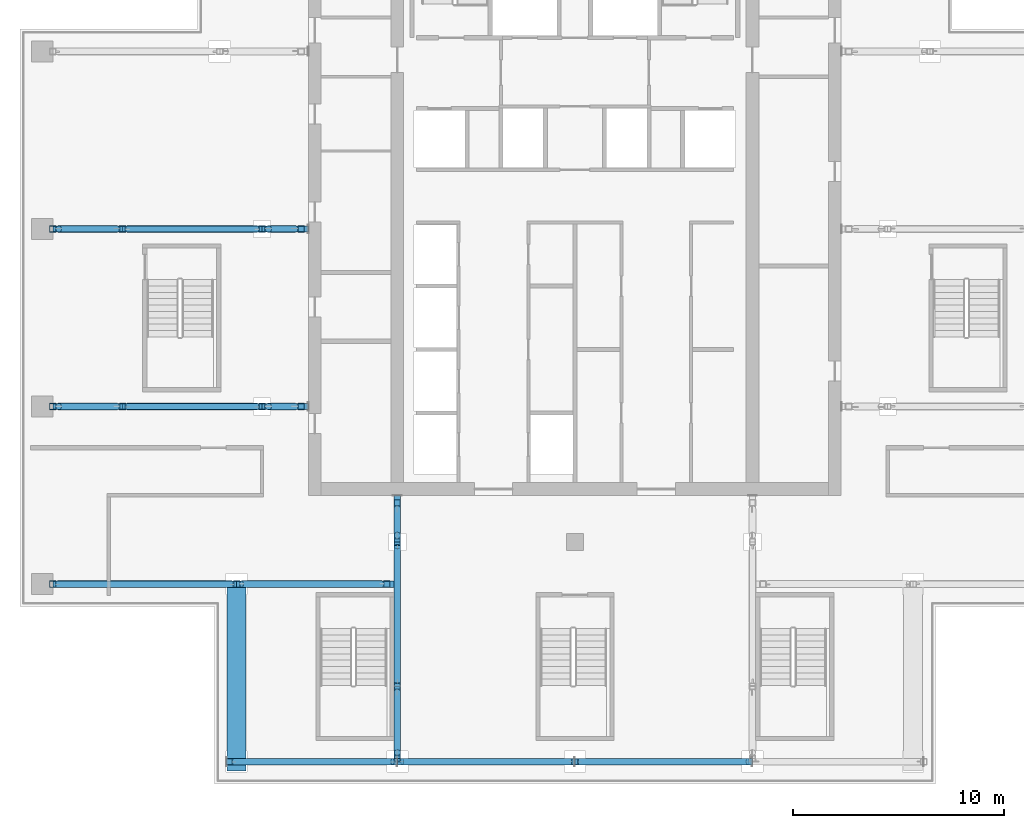
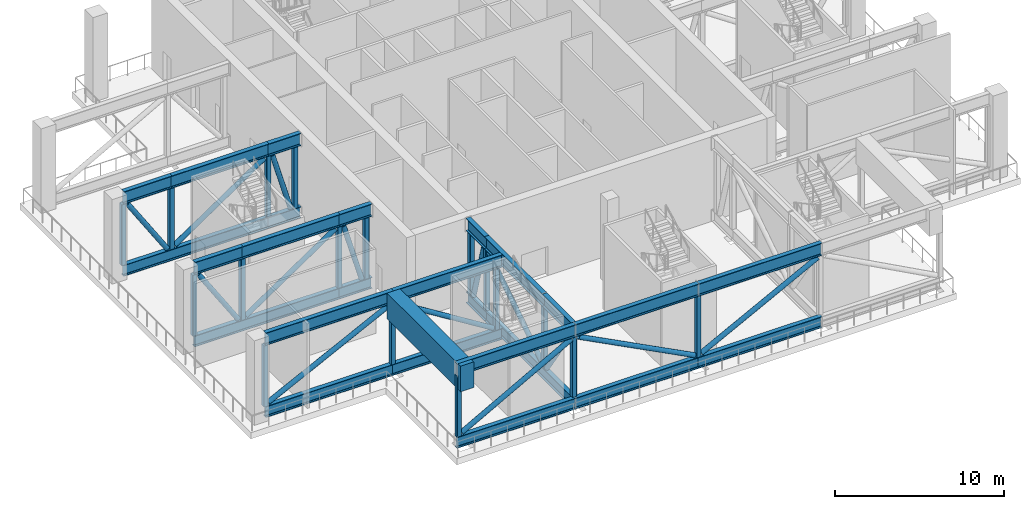
# One storey, part 2 of 24: 56 members, 1 beam.
"""IFC4 building model written with IfcOpenShell, lengths in metres."""

from ifc_helpers import new_model, si_unit, direction, frame, origin, origin_2d, place, context, subcontext, project, spatial, rectangle, hollow_rectangle, hollow_circle, i_section, extrude, material, material_profile, profile_set, type_object, element, save


model = new_model("IFC4")

# Units and contexts
model_context = context("Model", 3, precision=1e-05, world=origin(), true_north=direction((0.0, 1.0)))
body_context = subcontext(model_context, "Body", "Model", "MODEL_VIEW")
ifc_project = project(units=[si_unit("LENGTHUNIT", "METRE"), si_unit("AREAUNIT", "SQUARE_METRE"), si_unit("VOLUMEUNIT", "CUBIC_METRE"), si_unit("PLANEANGLEUNIT", "RADIAN"), si_unit("MASSUNIT", "GRAM", prefix="KILO")], contexts=[model_context])

# Site, building, storey
site_placement = place(None, origin())
site = spatial("IfcSite", under=ifc_project, at=site_placement, CompositionType="ELEMENT")
building_placement = place(site_placement, origin())
building = spatial("IfcBuilding", under=site, at=building_placement, Name="Vermilion Ogive Tower", CompositionType="ELEMENT")
storey_placement = place(building_placement, frame((0.0, 0.0, 216.949951171875)))
storey = spatial("IfcBuildingStorey", under=building, at=storey_placement, Name="L57", CompositionType="ELEMENT", Elevation=216.949951171875)

# Members
ifc_material_1 = material(Name="Steel S355", Category="steel")
ifc_material_profile_1 = material_profile(ifc_material_1, i_section(OverallWidth=0.300048828125, OverallDepth=0.800048828125, WebThickness=0.017578125, FlangeThickness=0.032958984375, FilletRadius=0.030029296875, at=origin_2d()), Name="HEB 800")
ifc_profile_set_1 = profile_set([ifc_material_profile_1], Name="Steel S355")
member_type_1 = type_object("IfcMemberType", Name="Outrigger truss bottom chord HEB 800", PredefinedType="CHORD", material=ifc_profile_set_1)
member_1_placement = place(storey_placement, frame((-8.550048828125, -12.60009765625, 0.400146484375), z_axis=(-1.0, 0.0, 0.0), x_axis=(0.0, -1.0, 0.0)))
element("IfcMember", 1, at=member_1_placement, inside=storey, type_object=member_type_1, Name="L57-TR-EWW-12.6-B1", PredefinedType="CHORD", context=body_context, shape_type="SweptSolid", body=[
    extrude(i_section(OverallWidth=0.300048828125, OverallDepth=0.800048828125, WebThickness=0.017578125, FlangeThickness=0.032958984375, FilletRadius=0.030029296875, at=origin_2d()), origin(), (0.0, 0.0, 1.0), 7.449951171875),
])
member_2_placement = place(storey_placement, frame((-16.0, -12.60009765625, 0.400146484375), z_axis=(-1.0, 0.0, 0.0), x_axis=(0.0, -1.0, 0.0)))
element("IfcMember", 2, at=member_2_placement, inside=storey, type_object=member_type_1, Name="L57-TR-EWW-12.6-B2", PredefinedType="CHORD", context=body_context, shape_type="SweptSolid", body=[
    extrude(i_section(OverallWidth=0.300048828125, OverallDepth=0.800048828125, WebThickness=0.017578125, FlangeThickness=0.032958984375, FilletRadius=0.030029296875, at=origin_2d()), origin(), (0.0, 0.0, 1.0), 8.699951171875),
])
member_3_placement = place(storey_placement, frame((-12.60009765625, -4.199951171875, 0.400146484375), z_axis=(-1.0, 0.0, 0.0), x_axis=(0.0, -1.0, 0.0)))
element("IfcMember", 3, at=member_3_placement, inside=storey, type_object=member_type_1, Name="L57-TR-EWW-4.2-B1", PredefinedType="CHORD", context=body_context, shape_type="SweptSolid", body=[
    extrude(i_section(OverallWidth=0.300048828125, OverallDepth=0.800048828125, WebThickness=0.017578125, FlangeThickness=0.032958984375, FilletRadius=0.030029296875, at=origin_2d()), origin(), (0.0, 0.0, 1.0), 2.199951171875),
])
member_4_placement = place(storey_placement, frame((-14.800048828125, -4.199951171875, 0.400146484375), z_axis=(-1.0, 0.0, 0.0), x_axis=(0.0, -1.0, 0.0)))
element("IfcMember", 4, at=member_4_placement, inside=storey, type_object=member_type_1, Name="L57-TR-EWW-4.2-B2", PredefinedType="CHORD", context=body_context, shape_type="SweptSolid", body=[
    extrude(i_section(OverallWidth=0.300048828125, OverallDepth=0.800048828125, WebThickness=0.017578125, FlangeThickness=0.032958984375, FilletRadius=0.030029296875, at=origin_2d()), origin(), (0.0, 0.0, 1.0), 9.89990234375),
])
member_5_placement = place(storey_placement, frame((-12.60009765625, 4.199951171875, 0.400146484375), z_axis=(-1.0, 0.0, 0.0), x_axis=(0.0, -1.0, 0.0)))
element("IfcMember", 5, at=member_5_placement, inside=storey, type_object=member_type_1, Name="L57-TR-EWW+4.2-B1", PredefinedType="CHORD", context=body_context, shape_type="SweptSolid", body=[
    extrude(i_section(OverallWidth=0.300048828125, OverallDepth=0.800048828125, WebThickness=0.017578125, FlangeThickness=0.032958984375, FilletRadius=0.030029296875, at=origin_2d()), origin(), (0.0, 0.0, 1.0), 2.199951171875),
])
member_6_placement = place(storey_placement, frame((-14.800048828125, 4.199951171875, 0.400146484375), z_axis=(-1.0, 0.0, 0.0), x_axis=(0.0, -1.0, 0.0)))
element("IfcMember", 6, at=member_6_placement, inside=storey, type_object=member_type_1, Name="L57-TR-EWW+4.2-B2", PredefinedType="CHORD", context=body_context, shape_type="SweptSolid", body=[
    extrude(i_section(OverallWidth=0.300048828125, OverallDepth=0.800048828125, WebThickness=0.017578125, FlangeThickness=0.032958984375, FilletRadius=0.030029296875, at=origin_2d()), origin(), (0.0, 0.0, 1.0), 9.89990234375),
])
member_7_placement = place(storey_placement, frame((-8.39990234375, -8.39990234375, 0.400146484375), z_axis=(0.0, -1.0, 0.0), x_axis=(1.0, 0.0, 0.0)))
element("IfcMember", 7, at=member_7_placement, inside=storey, type_object=member_type_1, Name="L57-TR-NS-8.4-B1", PredefinedType="CHORD", context=body_context, shape_type="SweptSolid", body=[
    extrude(i_section(OverallWidth=0.300048828125, OverallDepth=0.800048828125, WebThickness=0.017578125, FlangeThickness=0.032958984375, FilletRadius=0.030029296875, at=origin_2d()), origin(), (0.0, 0.0, 1.0), 2.2001953125),
])
member_8_placement = place(storey_placement, frame((-8.39990234375, -10.60009765625, 0.400146484375), z_axis=(0.0, -1.0, 0.0), x_axis=(1.0, 0.0, 0.0)))
element("IfcMember", 8, at=member_8_placement, inside=storey, type_object=member_type_1, Name="L57-TR-NS-8.4-B2", PredefinedType="CHORD", context=body_context, shape_type="SweptSolid", body=[
    extrude(i_section(OverallWidth=0.300048828125, OverallDepth=0.800048828125, WebThickness=0.017578125, FlangeThickness=0.032958984375, FilletRadius=0.030029296875, at=origin_2d()), origin(), (0.0, 0.0, 1.0), 10.25),
])
member_9_placement = place(storey_placement, frame((-16.5, -21.0, 0.400146484375), z_axis=(1.0, 0.0, 0.0), x_axis=(0.0, 1.0, 0.0)))
element("IfcMember", 9, at=member_9_placement, inside=storey, type_object=member_type_1, Name="L57-TR-BELT-B1", PredefinedType="CHORD", context=body_context, shape_type="SweptSolid", body=[
    extrude(i_section(OverallWidth=0.300048828125, OverallDepth=0.800048828125, WebThickness=0.017578125, FlangeThickness=0.032958984375, FilletRadius=0.030029296875, at=origin_2d()), origin(), (0.0, 0.0, 1.0), 8.10009765625),
])
for number, where, z_axis, x_axis, name in (
    (10, (-8.39990234375, -21.0, 0.400146484375), (1.0, 0.0, 0.0), (0.0, 1.0, 0.0), "L57-TR-BELT-B2"),
    (11, (0.0, -21.0, 0.400146484375), (1.0, 0.0, 0.0), (0.0, 1.0, 0.0), "L57-TR-BELT-B3"),
):
    element("IfcMember", number, at=place(storey_placement, frame(where, z_axis=z_axis, x_axis=x_axis)), inside=storey, type_object=member_type_1, Name=name, PredefinedType="CHORD", context=body_context, shape_type="SweptSolid", body=[
        extrude(i_section(OverallWidth=0.300048828125, OverallDepth=0.800048828125, WebThickness=0.017578125, FlangeThickness=0.032958984375, FilletRadius=0.030029296875, at=origin_2d()), origin(), (0.0, 0.0, 1.0), 8.39990234375),
    ])
ifc_material_2 = material(Name="Steel S355", Category="steel")
ifc_material_profile_2 = material_profile(ifc_material_2, hollow_circle(Radius=0.161865234375, WallThickness=0.012451171875, at=origin_2d()), Name="CHS 323.9x12.5")
ifc_profile_set_2 = profile_set([ifc_material_profile_2], Name="Steel S355")
member_type_2 = type_object("IfcMemberType", Name="Outrigger truss diagonal CHS 323.9x12.5", PredefinedType="BRACE", material=ifc_profile_set_2)
member_10_placement = place(storey_placement, frame((-9.137451171875, -12.60009765625, 0.935546875), z_axis=(-0.848658270028, 0.0, 0.528941528633), x_axis=(0.0, -1.0, 0.0)))
element("IfcMember", 12, at=member_10_placement, inside=storey, type_object=member_type_2, Name="L57-TR-EWW-12.6-D0", PredefinedType="BRACE", context=body_context, shape_type="SweptSolid", body=[
    extrude(hollow_circle(Radius=0.161865234375, WallThickness=0.012451171875, at=origin_2d()), origin(), (0.0, 0.0, 1.0), 7.806396484375),
])
member_11_placement = place(storey_placement, frame((-16.224609375, -12.60009765625, 5.05712890625), z_axis=(-0.894919191718, 0.0, -0.446228237894), x_axis=(0.0, -1.0, 0.0)))
element("IfcMember", 13, at=member_11_placement, inside=storey, type_object=member_type_2, Name="L57-TR-EWW-12.6-D1", PredefinedType="BRACE", context=body_context, shape_type="SweptSolid", body=[
    extrude(hollow_circle(Radius=0.161865234375, WallThickness=0.012451171875, at=origin_2d()), origin(), (0.0, 0.0, 1.0), 9.219482421875),
])
member_12_placement = place(storey_placement, frame((-13.252197265625, -4.199951171875, 0.853271484375), z_axis=(-0.278628221178, 0.0, 0.960399039131), x_axis=(0.0, -1.0, 0.0)))
element("IfcMember", 14, at=member_12_placement, inside=storey, type_object=member_type_2, Name="L57-TR-EWW-4.2-D0", PredefinedType="BRACE", context=body_context, shape_type="SweptSolid", body=[
    extrude(hollow_circle(Radius=0.161865234375, WallThickness=0.012451171875, at=origin_2d()), origin(), (0.0, 0.0, 1.0), 4.470458984375),
])
member_13_placement = place(storey_placement, frame((-15.042236328125, -4.199951171875, 5.06787109375), z_axis=(-0.828374134193, 0.0, -0.560175234904), x_axis=(0.0, -1.0, 0.0)))
element("IfcMember", 15, at=member_13_placement, inside=storey, type_object=member_type_2, Name="L57-TR-EWW-4.2-D1", PredefinedType="BRACE", context=body_context, shape_type="SweptSolid", body=[
    extrude(hollow_circle(Radius=0.161865234375, WallThickness=0.012451171875, at=origin_2d()), origin(), (0.0, 0.0, 1.0), 7.382568359375),
])
member_14_placement = place(storey_placement, frame((-21.683349609375, -4.199951171875, 0.890869140625), z_axis=(-0.543780811308, 0.0, 0.839227281047), x_axis=(0.0, -1.0, 0.0)))
element("IfcMember", 16, at=member_14_placement, inside=storey, type_object=member_type_2, Name="L57-TR-EWW-4.2-D2", PredefinedType="BRACE", context=body_context, shape_type="SweptSolid", body=[
    extrude(hollow_circle(Radius=0.161865234375, WallThickness=0.012451171875, at=origin_2d()), origin(), (0.0, 0.0, 1.0), 5.026611328125),
])
member_15_placement = place(storey_placement, frame((-13.252197265625, 4.199951171875, 0.853271484375), z_axis=(-0.278628221178, 0.0, 0.960399039131), x_axis=(0.0, -1.0, 0.0)))
element("IfcMember", 17, at=member_15_placement, inside=storey, type_object=member_type_2, Name="L57-TR-EWW+4.2-D0", PredefinedType="BRACE", context=body_context, shape_type="SweptSolid", body=[
    extrude(hollow_circle(Radius=0.161865234375, WallThickness=0.012451171875, at=origin_2d()), origin(), (0.0, 0.0, 1.0), 4.470458984375),
])
member_16_placement = place(storey_placement, frame((-15.042236328125, 4.199951171875, 5.06787109375), z_axis=(-0.828374134193, 0.0, -0.560175234904), x_axis=(0.0, -1.0, 0.0)))
element("IfcMember", 18, at=member_16_placement, inside=storey, type_object=member_type_2, Name="L57-TR-EWW+4.2-D1", PredefinedType="BRACE", context=body_context, shape_type="SweptSolid", body=[
    extrude(hollow_circle(Radius=0.161865234375, WallThickness=0.012451171875, at=origin_2d()), origin(), (0.0, 0.0, 1.0), 7.382568359375),
])
member_17_placement = place(storey_placement, frame((-21.683349609375, 4.199951171875, 0.890869140625), z_axis=(-0.543780811308, 0.0, 0.839227281047), x_axis=(0.0, -1.0, 0.0)))
element("IfcMember", 19, at=member_17_placement, inside=storey, type_object=member_type_2, Name="L57-TR-EWW+4.2-D2", PredefinedType="BRACE", context=body_context, shape_type="SweptSolid", body=[
    extrude(hollow_circle(Radius=0.161865234375, WallThickness=0.012451171875, at=origin_2d()), origin(), (0.0, 0.0, 1.0), 5.026611328125),
])
member_18_placement = place(storey_placement, frame((-8.39990234375, -9.05224609375, 0.853271484375), z_axis=(0.0, -0.278628221178, 0.960399039131), x_axis=(1.0, 0.0, 0.0)))
element("IfcMember", 20, at=member_18_placement, inside=storey, type_object=member_type_2, Name="L57-TR-NS-8.4-D0", PredefinedType="BRACE", context=body_context, shape_type="SweptSolid", body=[
    extrude(hollow_circle(Radius=0.161865234375, WallThickness=0.012451171875, at=origin_2d()), origin(), (0.0, 0.0, 1.0), 4.470458984375),
])
member_19_placement = place(storey_placement, frame((-8.39990234375, -10.83984375, 5.066162109375), z_axis=(0.0, -0.838290504472, -0.545223834871), x_axis=(1.0, 0.0, 0.0)))
element("IfcMember", 21, at=member_19_placement, inside=storey, type_object=member_type_2, Name="L57-TR-NS-8.4-D1", PredefinedType="BRACE", context=body_context, shape_type="SweptSolid", body=[
    extrude(hollow_circle(Radius=0.161865234375, WallThickness=0.012451171875, at=origin_2d()), origin(), (0.0, 0.0, 1.0), 7.5791015625),
])
member_20_placement = place(storey_placement, frame((-8.39990234375, -17.71484375, 0.89306640625), z_axis=(0.0, -0.560708119025, 0.828013529635), x_axis=(1.0, 0.0, 0.0)))
element("IfcMember", 22, at=member_20_placement, inside=storey, type_object=member_type_2, Name="L57-TR-NS-8.4-D2", PredefinedType="BRACE", context=body_context, shape_type="SweptSolid", body=[
    extrude(hollow_circle(Radius=0.161865234375, WallThickness=0.012451171875, at=origin_2d()), origin(), (0.0, 0.0, 1.0), 5.089111328125),
])
member_21_placement = place(storey_placement, frame((-16.119873046875, -21.0, 0.93994140625), z_axis=(0.876178519764, 0.0, 0.48198672337), x_axis=(0.0, 1.0, 0.0)))
element("IfcMember", 23, at=member_21_placement, inside=storey, type_object=member_type_2, Name="L57-TR-BELT-D0", PredefinedType="BRACE", context=body_context, shape_type="SweptSolid", body=[
    extrude(hollow_circle(Radius=0.161865234375, WallThickness=0.012451171875, at=origin_2d()), origin(), (0.0, 0.0, 1.0), 8.548095703125),
])
for number, where, z_axis, x_axis, name in (
    (24, (-8.173095703125, -21.0, 5.058349609375), (0.887929947751, 0.0, -0.459978703731), (0.0, 1.0, 0.0), "L57-TR-BELT-D1"),
    (25, (0.226806640625, -21.0, 0.94189453125), (0.887929947751, 0.0, 0.459978703731), (0.0, 1.0, 0.0), "L57-TR-BELT-D2"),
):
    element("IfcMember", number, at=place(storey_placement, frame(where, z_axis=z_axis, x_axis=x_axis)), inside=storey, type_object=member_type_2, Name=name, PredefinedType="BRACE", context=body_context, shape_type="SweptSolid", body=[
        extrude(hollow_circle(Radius=0.161865234375, WallThickness=0.012451171875, at=origin_2d()), origin(), (0.0, 0.0, 1.0), 8.94921875),
    ])
ifc_material_3 = material(Name="Steel S355", Category="steel")
ifc_material_profile_3 = material_profile(ifc_material_3, hollow_rectangle(XDim=0.300048828125, YDim=0.300048828125, WallThickness=0.012451171875, InnerFilletRadius=0.012451171875, OuterFilletRadius=0.018798828125, at=origin_2d()), Name="RHS 300x300x12.5")
ifc_profile_set_3 = profile_set([ifc_material_profile_3], Name="Steel S355")
member_type_3 = type_object("IfcMemberType", Name="Outrigger truss post RHS 300x300x12.5", PredefinedType="POST", material=ifc_profile_set_3)
for number, where, z_axis, x_axis, name in (
    (26, (-8.89990234375, -12.60009765625, 0.800048828125), (0.0, 0.0, 1.0), (1.0, 0.0, 0.0), "L57-TR-EWW-12.6-P0"),
    (27, (-16.0, -12.60009765625, 0.800048828125), (0.0, 0.0, 1.0), (1.0, 0.0, 0.0), "L57-TR-EWW-12.6-P1"),
    (28, (-24.699951171875, -12.60009765625, 0.800048828125), (0.0, 0.0, 1.0), (1.0, 0.0, 0.0), "L57-TR-EWW-12.6-P2"),
    (29, (-12.949951171875, -4.199951171875, 0.800048828125), (0.0, 0.0, 1.0), (1.0, 0.0, 0.0), "L57-TR-EWW-4.2-P0"),
    (30, (-14.800048828125, -4.199951171875, 0.800048828125), (0.0, 0.0, 1.0), (1.0, 0.0, 0.0), "L57-TR-EWW-4.2-P1"),
    (31, (-21.39990234375, -4.199951171875, 0.800048828125), (0.0, 0.0, 1.0), (1.0, 0.0, 0.0), "L57-TR-EWW-4.2-P2"),
    (32, (-24.699951171875, -4.199951171875, 0.800048828125), (0.0, 0.0, 1.0), (1.0, 0.0, 0.0), "L57-TR-EWW-4.2-P3"),
    (33, (-12.949951171875, 4.199951171875, 0.800048828125), (0.0, 0.0, 1.0), (1.0, 0.0, 0.0), "L57-TR-EWW+4.2-P0"),
    (34, (-14.800048828125, 4.199951171875, 0.800048828125), (0.0, 0.0, 1.0), (1.0, 0.0, 0.0), "L57-TR-EWW+4.2-P1"),
    (35, (-21.39990234375, 4.199951171875, 0.800048828125), (0.0, 0.0, 1.0), (1.0, 0.0, 0.0), "L57-TR-EWW+4.2-P2"),
    (36, (-24.699951171875, 4.199951171875, 0.800048828125), (0.0, 0.0, 1.0), (1.0, 0.0, 0.0), "L57-TR-EWW+4.2-P3"),
    (37, (-8.39990234375, -8.75, 0.800048828125), (0.0, 0.0, 1.0), (1.0, 0.0, 0.0), "L57-TR-NS-8.4-P0"),
    (38, (-8.39990234375, -10.60009765625, 0.800048828125), (0.0, 0.0, 1.0), (1.0, 0.0, 0.0), "L57-TR-NS-8.4-P1"),
    (39, (-8.39990234375, -17.433349609375, 0.800048828125), (0.0, 0.0, 1.0), (1.0, 0.0, 0.0), "L57-TR-NS-8.4-P2"),
    (40, (-8.39990234375, -20.85009765625, 0.800048828125), (0.0, 0.0, 1.0), (1.0, 0.0, 0.0), "L57-TR-NS-8.4-P3"),
    (41, (-16.35009765625, -21.0, 0.800048828125), (0.0, 0.0, 1.0), (1.0, 0.0, 0.0), "L57-TR-BELT-P0"),
    (42, (0.0, -21.0, 0.800048828125), (0.0, 0.0, 1.0), (1.0, 0.0, 0.0), "L57-TR-BELT-P2"),
):
    element("IfcMember", number, at=place(storey_placement, frame(where, z_axis=z_axis, x_axis=x_axis)), inside=storey, type_object=member_type_3, Name=name, PredefinedType="POST", context=body_context, shape_type="SweptSolid", body=[
        extrude(hollow_rectangle(XDim=0.300048828125, YDim=0.300048828125, WallThickness=0.012451171875, InnerFilletRadius=0.012451171875, OuterFilletRadius=0.018798828125, at=origin_2d()), origin(), (0.0, 0.0, 1.0), 4.39990234375),
    ])
ifc_material_4 = material(Name="Steel S355", Category="steel")
ifc_material_profile_4 = material_profile(ifc_material_4, i_section(OverallWidth=0.300048828125, OverallDepth=0.89990234375, WebThickness=0.0185546875, FlangeThickness=0.034912109375, FilletRadius=0.030029296875, at=origin_2d()), Name="HEB 900")
ifc_profile_set_4 = profile_set([ifc_material_profile_4], Name="Steel S355")
member_type_4 = type_object("IfcMemberType", Name="Outrigger truss top chord HEB 900", PredefinedType="CHORD", material=ifc_profile_set_4)
member_22_placement = place(storey_placement, frame((-8.550048828125, -12.60009765625, 5.650146484375), z_axis=(-1.0, 0.0, 0.0), x_axis=(0.0, -1.0, 0.0)))
element("IfcMember", 43, at=member_22_placement, inside=storey, type_object=member_type_4, Name="L57-TR-EWW-12.6-T3", PredefinedType="CHORD", context=body_context, shape_type="SweptSolid", body=[
    extrude(i_section(OverallWidth=0.300048828125, OverallDepth=0.89990234375, WebThickness=0.0185546875, FlangeThickness=0.034912109375, FilletRadius=0.030029296875, at=origin_2d()), origin(), (0.0, 0.0, 1.0), 7.449951171875),
])
member_23_placement = place(storey_placement, frame((-16.0, -12.60009765625, 5.650146484375), z_axis=(-1.0, 0.0, 0.0), x_axis=(0.0, -1.0, 0.0)))
element("IfcMember", 44, at=member_23_placement, inside=storey, type_object=member_type_4, Name="L57-TR-EWW-12.6-T4", PredefinedType="CHORD", context=body_context, shape_type="SweptSolid", body=[
    extrude(i_section(OverallWidth=0.300048828125, OverallDepth=0.89990234375, WebThickness=0.0185546875, FlangeThickness=0.034912109375, FilletRadius=0.030029296875, at=origin_2d()), origin(), (0.0, 0.0, 1.0), 8.699951171875),
])
member_24_placement = place(storey_placement, frame((-12.60009765625, -4.199951171875, 5.650146484375), z_axis=(-1.0, 0.0, 0.0), x_axis=(0.0, -1.0, 0.0)))
element("IfcMember", 45, at=member_24_placement, inside=storey, type_object=member_type_4, Name="L57-TR-EWW-4.2-T3", PredefinedType="CHORD", context=body_context, shape_type="SweptSolid", body=[
    extrude(i_section(OverallWidth=0.300048828125, OverallDepth=0.89990234375, WebThickness=0.0185546875, FlangeThickness=0.034912109375, FilletRadius=0.030029296875, at=origin_2d()), origin(), (0.0, 0.0, 1.0), 2.199951171875),
])
member_25_placement = place(storey_placement, frame((-14.800048828125, -4.199951171875, 5.650146484375), z_axis=(-1.0, 0.0, 0.0), x_axis=(0.0, -1.0, 0.0)))
element("IfcMember", 46, at=member_25_placement, inside=storey, type_object=member_type_4, Name="L57-TR-EWW-4.2-T4", PredefinedType="CHORD", context=body_context, shape_type="SweptSolid", body=[
    extrude(i_section(OverallWidth=0.300048828125, OverallDepth=0.89990234375, WebThickness=0.0185546875, FlangeThickness=0.034912109375, FilletRadius=0.030029296875, at=origin_2d()), origin(), (0.0, 0.0, 1.0), 6.599853515625),
])
member_26_placement = place(storey_placement, frame((-21.39990234375, -4.199951171875, 5.650146484375), z_axis=(-1.0, 0.0, 0.0), x_axis=(0.0, -1.0, 0.0)))
element("IfcMember", 47, at=member_26_placement, inside=storey, type_object=member_type_4, Name="L57-TR-EWW-4.2-T5", PredefinedType="CHORD", context=body_context, shape_type="SweptSolid", body=[
    extrude(i_section(OverallWidth=0.300048828125, OverallDepth=0.89990234375, WebThickness=0.0185546875, FlangeThickness=0.034912109375, FilletRadius=0.030029296875, at=origin_2d()), origin(), (0.0, 0.0, 1.0), 3.300048828125),
])
member_27_placement = place(storey_placement, frame((-12.60009765625, 4.199951171875, 5.650146484375), z_axis=(-1.0, 0.0, 0.0), x_axis=(0.0, -1.0, 0.0)))
element("IfcMember", 48, at=member_27_placement, inside=storey, type_object=member_type_4, Name="L57-TR-EWW+4.2-T3", PredefinedType="CHORD", context=body_context, shape_type="SweptSolid", body=[
    extrude(i_section(OverallWidth=0.300048828125, OverallDepth=0.89990234375, WebThickness=0.0185546875, FlangeThickness=0.034912109375, FilletRadius=0.030029296875, at=origin_2d()), origin(), (0.0, 0.0, 1.0), 2.199951171875),
])
member_28_placement = place(storey_placement, frame((-14.800048828125, 4.199951171875, 5.650146484375), z_axis=(-1.0, 0.0, 0.0), x_axis=(0.0, -1.0, 0.0)))
element("IfcMember", 49, at=member_28_placement, inside=storey, type_object=member_type_4, Name="L57-TR-EWW+4.2-T4", PredefinedType="CHORD", context=body_context, shape_type="SweptSolid", body=[
    extrude(i_section(OverallWidth=0.300048828125, OverallDepth=0.89990234375, WebThickness=0.0185546875, FlangeThickness=0.034912109375, FilletRadius=0.030029296875, at=origin_2d()), origin(), (0.0, 0.0, 1.0), 6.599853515625),
])
member_29_placement = place(storey_placement, frame((-21.39990234375, 4.199951171875, 5.650146484375), z_axis=(-1.0, 0.0, 0.0), x_axis=(0.0, -1.0, 0.0)))
element("IfcMember", 50, at=member_29_placement, inside=storey, type_object=member_type_4, Name="L57-TR-EWW+4.2-T5", PredefinedType="CHORD", context=body_context, shape_type="SweptSolid", body=[
    extrude(i_section(OverallWidth=0.300048828125, OverallDepth=0.89990234375, WebThickness=0.0185546875, FlangeThickness=0.034912109375, FilletRadius=0.030029296875, at=origin_2d()), origin(), (0.0, 0.0, 1.0), 3.300048828125),
])
member_30_placement = place(storey_placement, frame((-8.39990234375, -8.39990234375, 5.650146484375), z_axis=(0.0, -1.0, 0.0), x_axis=(1.0, 0.0, 0.0)))
element("IfcMember", 51, at=member_30_placement, inside=storey, type_object=member_type_4, Name="L57-TR-NS-8.4-T3", PredefinedType="CHORD", context=body_context, shape_type="SweptSolid", body=[
    extrude(i_section(OverallWidth=0.300048828125, OverallDepth=0.89990234375, WebThickness=0.0185546875, FlangeThickness=0.034912109375, FilletRadius=0.030029296875, at=origin_2d()), origin(), (0.0, 0.0, 1.0), 2.2001953125),
])
member_31_placement = place(storey_placement, frame((-8.39990234375, -10.60009765625, 5.650146484375), z_axis=(0.0, -1.0, 0.0), x_axis=(1.0, 0.0, 0.0)))
element("IfcMember", 52, at=member_31_placement, inside=storey, type_object=member_type_4, Name="L57-TR-NS-8.4-T4", PredefinedType="CHORD", context=body_context, shape_type="SweptSolid", body=[
    extrude(i_section(OverallWidth=0.300048828125, OverallDepth=0.89990234375, WebThickness=0.0185546875, FlangeThickness=0.034912109375, FilletRadius=0.030029296875, at=origin_2d()), origin(), (0.0, 0.0, 1.0), 6.833251953125),
])
member_32_placement = place(storey_placement, frame((-8.39990234375, -17.433349609375, 5.650146484375), z_axis=(0.0, -1.0, 0.0), x_axis=(1.0, 0.0, 0.0)))
element("IfcMember", 53, at=member_32_placement, inside=storey, type_object=member_type_4, Name="L57-TR-NS-8.4-T5", PredefinedType="CHORD", context=body_context, shape_type="SweptSolid", body=[
    extrude(i_section(OverallWidth=0.300048828125, OverallDepth=0.89990234375, WebThickness=0.0185546875, FlangeThickness=0.034912109375, FilletRadius=0.030029296875, at=origin_2d()), origin(), (0.0, 0.0, 1.0), 3.416748046875),
])
member_33_placement = place(storey_placement, frame((-16.5, -21.0, 5.650146484375), z_axis=(1.0, 0.0, 0.0), x_axis=(0.0, 1.0, 0.0)))
element("IfcMember", 54, at=member_33_placement, inside=storey, type_object=member_type_4, Name="L57-TR-BELT-T5", PredefinedType="CHORD", context=body_context, shape_type="SweptSolid", body=[
    extrude(i_section(OverallWidth=0.300048828125, OverallDepth=0.89990234375, WebThickness=0.0185546875, FlangeThickness=0.034912109375, FilletRadius=0.030029296875, at=origin_2d()), origin(), (0.0, 0.0, 1.0), 8.10009765625),
])
for number, where, z_axis, x_axis, name in (
    (55, (-8.39990234375, -21.0, 5.650146484375), (1.0, 0.0, 0.0), (0.0, 1.0, 0.0), "L57-TR-BELT-T6"),
    (56, (0.0, -21.0, 5.650146484375), (1.0, 0.0, 0.0), (0.0, 1.0, 0.0), "L57-TR-BELT-T7"),
):
    element("IfcMember", number, at=place(storey_placement, frame(where, z_axis=z_axis, x_axis=x_axis)), inside=storey, type_object=member_type_4, Name=name, PredefinedType="CHORD", context=body_context, shape_type="SweptSolid", body=[
        extrude(i_section(OverallWidth=0.300048828125, OverallDepth=0.89990234375, WebThickness=0.0185546875, FlangeThickness=0.034912109375, FilletRadius=0.030029296875, at=origin_2d()), origin(), (0.0, 0.0, 1.0), 8.39990234375),
    ])

# Beam
ifc_material_5 = material(Name="Concrete B60", Category="concrete")
ifc_material_profile_5 = material_profile(ifc_material_5, rectangle(XDim=0.89990234375, YDim=1.85009765625, at=origin_2d()), Name="900 x 1850")
ifc_profile_set_5 = profile_set([ifc_material_profile_5], Name="Concrete B60")
beam_type = type_object("IfcBeamType", Name="Transfer girder 900 x 1850 B60", PredefinedType="BEAM", material=ifc_profile_set_5)
beam_placement = place(storey_placement, frame((-16.0, -21.449951171875, 5.175048828125), z_axis=(0.0, 1.0, 0.0), x_axis=(-1.0, 0.0, 0.0)))
element("IfcBeam", 57, at=beam_placement, inside=storey, type_object=beam_type, Name="L57-TG-1", PredefinedType="BEAM", context=body_context, shape_type="SweptSolid", body=[
    extrude(rectangle(XDim=0.89990234375, YDim=1.85009765625, at=origin_2d()), origin(), (0.0, 0.0, 1.0), 8.699951171875),
])

save(model, "model.ifc")
